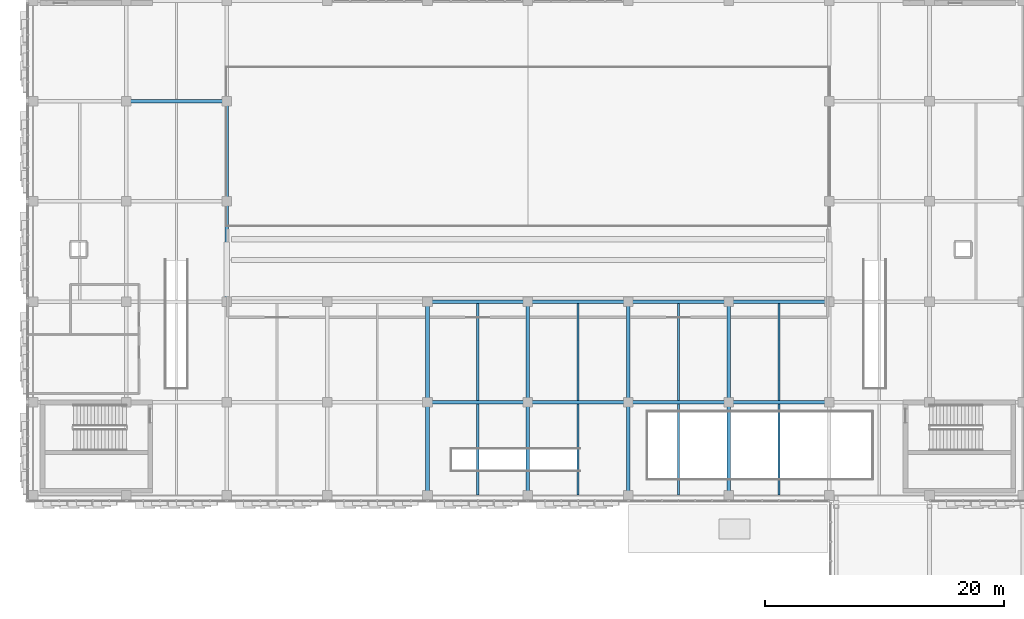
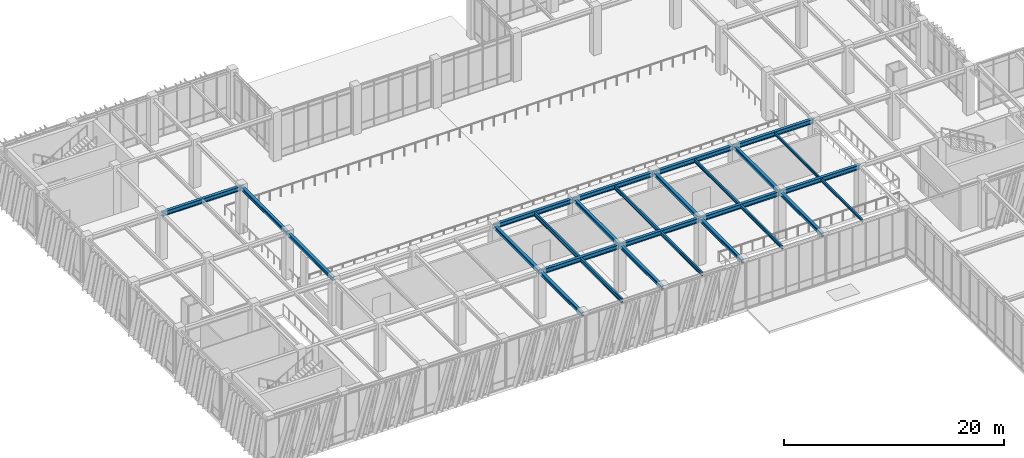
# One storey, part 43 of 139: 27 beams.
"""IFC4 building model written with IfcOpenShell, lengths in metres."""

from ifc_helpers import new_model, si_unit, direction, frame, origin, origin_2d, place, context, subcontext, project, spatial, i_section, extrude, material, material_profile, profile_set, type_object, element, save


model = new_model("IFC4")

# Units and contexts
model_context = context("Model", 3, precision=1e-05, world=origin(), true_north=direction((0.0, 1.0)))
body_context = subcontext(model_context, "Body", "Model", "MODEL_VIEW")
ifc_project = project(units=[si_unit("LENGTHUNIT", "METRE"), si_unit("AREAUNIT", "SQUARE_METRE"), si_unit("VOLUMEUNIT", "CUBIC_METRE"), si_unit("PLANEANGLEUNIT", "RADIAN"), si_unit("MASSUNIT", "GRAM", prefix="KILO")], contexts=[model_context])

# Site, building, storey
site_placement = place(None, origin())
site = spatial("IfcSite", under=ifc_project, at=site_placement, CompositionType="ELEMENT")
building_placement = place(site_placement, origin())
building = spatial("IfcBuilding", under=site, at=building_placement, Name="Zayran Congress Hotel", CompositionType="ELEMENT")
storey_placement = place(building_placement, frame((0.0, 0.0, 5.39990234375)))
storey = spatial("IfcBuildingStorey", under=building, at=storey_placement, Name="L01", CompositionType="ELEMENT", Elevation=5.39990234375)

# Beams
ifc_material = material(Name="Steel S355", Category="steel")
ifc_material_profile_1 = material_profile(ifc_material, i_section(OverallWidth=0.300048828125, OverallDepth=0.489990234375, WebThickness=0.011962890625, FlangeThickness=0.02294921875, at=origin_2d()), Name="HEA 500")
ifc_profile_set_1 = profile_set([ifc_material_profile_1], Name="Steel S355")
beam_type_1 = type_object("IfcBeamType", Name="TP-BM-05", PredefinedType="BEAM", material=ifc_profile_set_1)
beam_1_placement = place(storey_placement, frame((42.0, 76.0, 4.835205078125), z_axis=(1.0, 0.0, 0.0), x_axis=(0.0, 1.0, 0.0)))
element("IfcBeam", 1, at=beam_1_placement, inside=storey, type_object=beam_type_1, Name="BM-V1-L01-0527", PredefinedType="BEAM", context=body_context, shape_type="SweptSolid", body=[
    extrude(i_section(OverallWidth=0.300048828125, OverallDepth=0.489990234375, WebThickness=0.011962890625, FlangeThickness=0.02294921875, at=origin_2d()), origin(), (0.0, 0.0, 1.0), 8.39990234375),
])
beam_2_placement = place(storey_placement, frame((50.39990234375, 76.0, 4.835205078125), z_axis=(1.0, 0.0, 0.0), x_axis=(0.0, 1.0, 0.0)))
element("IfcBeam", 2, at=beam_2_placement, inside=storey, type_object=beam_type_1, Name="BM-V1-L01-0528", PredefinedType="BEAM", context=body_context, shape_type="SweptSolid", body=[
    extrude(i_section(OverallWidth=0.300048828125, OverallDepth=0.489990234375, WebThickness=0.011962890625, FlangeThickness=0.02294921875, at=origin_2d()), origin(), (0.0, 0.0, 1.0), 8.400146484375),
])
beam_3_placement = place(storey_placement, frame((58.800048828125, 76.0, 4.835205078125), z_axis=(1.0, 0.0, 0.0), x_axis=(0.0, 1.0, 0.0)))
element("IfcBeam", 3, at=beam_3_placement, inside=storey, type_object=beam_type_1, Name="BM-V1-L01-0529", PredefinedType="BEAM", context=body_context, shape_type="SweptSolid", body=[
    extrude(i_section(OverallWidth=0.300048828125, OverallDepth=0.489990234375, WebThickness=0.011962890625, FlangeThickness=0.02294921875, at=origin_2d()), origin(), (0.0, 0.0, 1.0), 8.39990234375),
])
beam_4_placement = place(storey_placement, frame((67.199951171875, 76.0, 4.835205078125), z_axis=(1.0, 0.0, 0.0), x_axis=(0.0, 1.0, 0.0)))
element("IfcBeam", 4, at=beam_4_placement, inside=storey, type_object=beam_type_1, Name="BM-V1-L01-0530", PredefinedType="BEAM", context=body_context, shape_type="SweptSolid", body=[
    extrude(i_section(OverallWidth=0.300048828125, OverallDepth=0.489990234375, WebThickness=0.011962890625, FlangeThickness=0.02294921875, at=origin_2d()), origin(), (0.0, 0.0, 1.0), 8.400146484375),
])
beam_5_placement = place(storey_placement, frame((42.0, 84.39990234375, 4.835205078125), z_axis=(1.0, 0.0, 0.0), x_axis=(0.0, 1.0, 0.0)))
element("IfcBeam", 5, at=beam_5_placement, inside=storey, type_object=beam_type_1, Name="BM-V1-L01-0537", PredefinedType="BEAM", context=body_context, shape_type="SweptSolid", body=[
    extrude(i_section(OverallWidth=0.300048828125, OverallDepth=0.489990234375, WebThickness=0.011962890625, FlangeThickness=0.02294921875, at=origin_2d()), origin(), (0.0, 0.0, 1.0), 8.39990234375),
])
beam_6_placement = place(storey_placement, frame((50.39990234375, 84.39990234375, 4.835205078125), z_axis=(1.0, 0.0, 0.0), x_axis=(0.0, 1.0, 0.0)))
element("IfcBeam", 6, at=beam_6_placement, inside=storey, type_object=beam_type_1, Name="BM-V1-L01-0538", PredefinedType="BEAM", context=body_context, shape_type="SweptSolid", body=[
    extrude(i_section(OverallWidth=0.300048828125, OverallDepth=0.489990234375, WebThickness=0.011962890625, FlangeThickness=0.02294921875, at=origin_2d()), origin(), (0.0, 0.0, 1.0), 8.400146484375),
])
beam_7_placement = place(storey_placement, frame((58.800048828125, 84.39990234375, 4.835205078125), z_axis=(1.0, 0.0, 0.0), x_axis=(0.0, 1.0, 0.0)))
element("IfcBeam", 7, at=beam_7_placement, inside=storey, type_object=beam_type_1, Name="BM-V1-L01-0539", PredefinedType="BEAM", context=body_context, shape_type="SweptSolid", body=[
    extrude(i_section(OverallWidth=0.300048828125, OverallDepth=0.489990234375, WebThickness=0.011962890625, FlangeThickness=0.02294921875, at=origin_2d()), origin(), (0.0, 0.0, 1.0), 8.39990234375),
])
beam_8_placement = place(storey_placement, frame((67.199951171875, 84.39990234375, 4.835205078125), z_axis=(1.0, 0.0, 0.0), x_axis=(0.0, 1.0, 0.0)))
element("IfcBeam", 8, at=beam_8_placement, inside=storey, type_object=beam_type_1, Name="BM-V1-L01-0540", PredefinedType="BEAM", context=body_context, shape_type="SweptSolid", body=[
    extrude(i_section(OverallWidth=0.300048828125, OverallDepth=0.489990234375, WebThickness=0.011962890625, FlangeThickness=0.02294921875, at=origin_2d()), origin(), (0.0, 0.0, 1.0), 8.400146484375),
])
beam_9_placement = place(storey_placement, frame((16.800048828125, 101.199951171875, 4.835205078125), z_axis=(1.0, 0.0, 0.0), x_axis=(0.0, 1.0, 0.0)))
element("IfcBeam", 9, at=beam_9_placement, inside=storey, type_object=beam_type_1, Name="BM-V1-L01-0548", PredefinedType="BEAM", context=body_context, shape_type="SweptSolid", body=[
    extrude(i_section(OverallWidth=0.300048828125, OverallDepth=0.489990234375, WebThickness=0.011962890625, FlangeThickness=0.02294921875, at=origin_2d()), origin(), (0.0, 0.0, 1.0), 8.39990234375),
])
ifc_material_profile_2 = material_profile(ifc_material, i_section(OverallWidth=0.300048828125, OverallDepth=0.389892578125, WebThickness=0.010986328125, FlangeThickness=0.01904296875, at=origin_2d()), Name="HEA 400")
ifc_profile_set_2 = profile_set([ifc_material_profile_2], Name="Steel S355")
beam_type_2 = type_object("IfcBeamType", Name="TP-BM-06", PredefinedType="BEAM", material=ifc_profile_set_2)
beam_10_placement = place(storey_placement, frame((25.199951171875, 84.39990234375, 4.885009765625), z_axis=(0.0, 1.0, 0.0), x_axis=(-1.0, 0.0, 0.0)))
element("IfcBeam", 10, at=beam_10_placement, inside=storey, type_object=beam_type_2, Name="BM-V1-L01-0583", PredefinedType="BEAM", context=body_context, shape_type="SweptSolid", body=[
    extrude(i_section(OverallWidth=0.300048828125, OverallDepth=0.389892578125, WebThickness=0.010986328125, FlangeThickness=0.01904296875, at=origin_2d()), origin(), (0.0, 0.0, 1.0), 8.400146484375),
])
beam_11_placement = place(storey_placement, frame((25.199951171875, 92.800048828125, 4.885009765625), z_axis=(0.0, 1.0, 0.0), x_axis=(-1.0, 0.0, 0.0)))
element("IfcBeam", 11, at=beam_11_placement, inside=storey, type_object=beam_type_2, Name="BM-V1-L01-0584", PredefinedType="BEAM", context=body_context, shape_type="SweptSolid", body=[
    extrude(i_section(OverallWidth=0.300048828125, OverallDepth=0.389892578125, WebThickness=0.010986328125, FlangeThickness=0.01904296875, at=origin_2d()), origin(), (0.0, 0.0, 1.0), 8.39990234375),
])
beam_12_placement = place(storey_placement, frame((42.0, 68.199951171875, 4.885009765625), z_axis=(0.0, 1.0, 0.0), x_axis=(-1.0, 0.0, 0.0)))
element("IfcBeam", 12, at=beam_12_placement, inside=storey, type_object=beam_type_2, Name="BM-V1-L01-0590", PredefinedType="BEAM", context=body_context, shape_type="SweptSolid", body=[
    extrude(i_section(OverallWidth=0.300048828125, OverallDepth=0.389892578125, WebThickness=0.010986328125, FlangeThickness=0.01904296875, at=origin_2d()), origin(), (0.0, 0.0, 1.0), 7.800048828125),
])
beam_13_placement = place(storey_placement, frame((42.0, 76.0, 4.885009765625), z_axis=(0.0, 1.0, 0.0), x_axis=(-1.0, 0.0, 0.0)))
element("IfcBeam", 13, at=beam_13_placement, inside=storey, type_object=beam_type_2, Name="BM-V1-L01-0591", PredefinedType="BEAM", context=body_context, shape_type="SweptSolid", body=[
    extrude(i_section(OverallWidth=0.300048828125, OverallDepth=0.389892578125, WebThickness=0.010986328125, FlangeThickness=0.01904296875, at=origin_2d()), origin(), (0.0, 0.0, 1.0), 8.39990234375),
])
beam_14_placement = place(storey_placement, frame((50.39990234375, 68.199951171875, 4.885009765625), z_axis=(0.0, 1.0, 0.0), x_axis=(-1.0, 0.0, 0.0)))
element("IfcBeam", 14, at=beam_14_placement, inside=storey, type_object=beam_type_2, Name="BM-V1-L01-0593", PredefinedType="BEAM", context=body_context, shape_type="SweptSolid", body=[
    extrude(i_section(OverallWidth=0.300048828125, OverallDepth=0.389892578125, WebThickness=0.010986328125, FlangeThickness=0.01904296875, at=origin_2d()), origin(), (0.0, 0.0, 1.0), 7.800048828125),
])
beam_15_placement = place(storey_placement, frame((50.39990234375, 76.0, 4.885009765625), z_axis=(0.0, 1.0, 0.0), x_axis=(-1.0, 0.0, 0.0)))
element("IfcBeam", 15, at=beam_15_placement, inside=storey, type_object=beam_type_2, Name="BM-V1-L01-0594", PredefinedType="BEAM", context=body_context, shape_type="SweptSolid", body=[
    extrude(i_section(OverallWidth=0.300048828125, OverallDepth=0.389892578125, WebThickness=0.010986328125, FlangeThickness=0.01904296875, at=origin_2d()), origin(), (0.0, 0.0, 1.0), 8.39990234375),
])
beam_16_placement = place(storey_placement, frame((58.800048828125, 68.199951171875, 4.885009765625), z_axis=(0.0, 1.0, 0.0), x_axis=(-1.0, 0.0, 0.0)))
element("IfcBeam", 16, at=beam_16_placement, inside=storey, type_object=beam_type_2, Name="BM-V1-L01-0596", PredefinedType="BEAM", context=body_context, shape_type="SweptSolid", body=[
    extrude(i_section(OverallWidth=0.300048828125, OverallDepth=0.389892578125, WebThickness=0.010986328125, FlangeThickness=0.01904296875, at=origin_2d()), origin(), (0.0, 0.0, 1.0), 7.800048828125),
])
beam_17_placement = place(storey_placement, frame((58.800048828125, 76.0, 4.885009765625), z_axis=(0.0, 1.0, 0.0), x_axis=(-1.0, 0.0, 0.0)))
element("IfcBeam", 17, at=beam_17_placement, inside=storey, type_object=beam_type_2, Name="BM-V1-L01-0597", PredefinedType="BEAM", context=body_context, shape_type="SweptSolid", body=[
    extrude(i_section(OverallWidth=0.300048828125, OverallDepth=0.389892578125, WebThickness=0.010986328125, FlangeThickness=0.01904296875, at=origin_2d()), origin(), (0.0, 0.0, 1.0), 8.39990234375),
])
beam_18_placement = place(storey_placement, frame((67.199951171875, 68.199951171875, 4.885009765625), z_axis=(0.0, 1.0, 0.0), x_axis=(-1.0, 0.0, 0.0)))
element("IfcBeam", 18, at=beam_18_placement, inside=storey, type_object=beam_type_2, Name="BM-V1-L01-0599", PredefinedType="BEAM", context=body_context, shape_type="SweptSolid", body=[
    extrude(i_section(OverallWidth=0.300048828125, OverallDepth=0.389892578125, WebThickness=0.010986328125, FlangeThickness=0.01904296875, at=origin_2d()), origin(), (0.0, 0.0, 1.0), 7.800048828125),
])
beam_19_placement = place(storey_placement, frame((67.199951171875, 76.0, 4.885009765625), z_axis=(0.0, 1.0, 0.0), x_axis=(-1.0, 0.0, 0.0)))
element("IfcBeam", 19, at=beam_19_placement, inside=storey, type_object=beam_type_2, Name="BM-V1-L01-0600", PredefinedType="BEAM", context=body_context, shape_type="SweptSolid", body=[
    extrude(i_section(OverallWidth=0.300048828125, OverallDepth=0.389892578125, WebThickness=0.010986328125, FlangeThickness=0.01904296875, at=origin_2d()), origin(), (0.0, 0.0, 1.0), 8.39990234375),
])
ifc_material_profile_3 = material_profile(ifc_material, i_section(OverallWidth=0.18994140625, OverallDepth=0.449951171875, WebThickness=0.009521484375, FlangeThickness=0.0146484375, at=origin_2d()), Name="IPE 450")
ifc_profile_set_3 = profile_set([ifc_material_profile_3], Name="Steel S355")
beam_type_3 = type_object("IfcBeamType", Name="TP-JS-02", PredefinedType="JOIST", material=ifc_profile_set_3)
beam_20_placement = place(storey_placement, frame((46.199951171875, 68.260009765625, 4.85498046875), z_axis=(0.0, 1.0, 0.0), x_axis=(-1.0, 0.0, 0.0)))
element("IfcBeam", 20, at=beam_20_placement, inside=storey, type_object=beam_type_3, Name="JST-V1-L01-0632", PredefinedType="JOIST", context=body_context, shape_type="SweptSolid", body=[
    extrude(i_section(OverallWidth=0.18994140625, OverallDepth=0.449951171875, WebThickness=0.009521484375, FlangeThickness=0.0146484375, at=origin_2d()), origin(), (0.0, 0.0, 1.0), 7.590087890625),
])
beam_21_placement = place(storey_placement, frame((46.199951171875, 76.14990234375, 4.85498046875), z_axis=(0.0, 1.0, 0.0), x_axis=(-1.0, 0.0, 0.0)))
element("IfcBeam", 21, at=beam_21_placement, inside=storey, type_object=beam_type_3, Name="JST-V1-L01-0633", PredefinedType="JOIST", context=body_context, shape_type="SweptSolid", body=[
    extrude(i_section(OverallWidth=0.18994140625, OverallDepth=0.449951171875, WebThickness=0.009521484375, FlangeThickness=0.0146484375, at=origin_2d()), origin(), (0.0, 0.0, 1.0), 8.10009765625),
])
ifc_material_profile_4 = material_profile(ifc_material, i_section(OverallWidth=0.179931640625, OverallDepth=0.39990234375, WebThickness=0.008544921875, FlangeThickness=0.013427734375, at=origin_2d()), Name="IPE 400")
ifc_profile_set_4 = profile_set([ifc_material_profile_4], Name="Steel S355")
beam_type_4 = type_object("IfcBeamType", Name="TP-JS-03", PredefinedType="JOIST", material=ifc_profile_set_4)
beam_22_placement = place(storey_placement, frame((54.60009765625, 68.260009765625, 4.880126953125), z_axis=(0.0, 1.0, 0.0), x_axis=(-1.0, 0.0, 0.0)))
element("IfcBeam", 22, at=beam_22_placement, inside=storey, type_object=beam_type_4, Name="JST-V1-L01-0635", PredefinedType="JOIST", context=body_context, shape_type="SweptSolid", body=[
    extrude(i_section(OverallWidth=0.179931640625, OverallDepth=0.39990234375, WebThickness=0.008544921875, FlangeThickness=0.013427734375, at=origin_2d()), origin(), (0.0, 0.0, 1.0), 7.590087890625),
])
beam_23_placement = place(storey_placement, frame((54.60009765625, 76.14990234375, 4.880126953125), z_axis=(0.0, 1.0, 0.0), x_axis=(-1.0, 0.0, 0.0)))
element("IfcBeam", 23, at=beam_23_placement, inside=storey, type_object=beam_type_4, Name="JST-V1-L01-0636", PredefinedType="JOIST", context=body_context, shape_type="SweptSolid", body=[
    extrude(i_section(OverallWidth=0.179931640625, OverallDepth=0.39990234375, WebThickness=0.008544921875, FlangeThickness=0.013427734375, at=origin_2d()), origin(), (0.0, 0.0, 1.0), 8.10009765625),
])
ifc_material_profile_5 = material_profile(ifc_material, i_section(OverallWidth=0.169921875, OverallDepth=0.360107421875, WebThickness=0.008056640625, FlangeThickness=0.0126953125, at=origin_2d()), Name="IPE 360")
ifc_profile_set_5 = profile_set([ifc_material_profile_5], Name="Steel S355")
beam_type_5 = type_object("IfcBeamType", Name="TP-JS-04", PredefinedType="JOIST", material=ifc_profile_set_5)
beam_24_placement = place(storey_placement, frame((63.0, 68.260009765625, 4.900146484375), z_axis=(0.0, 1.0, 0.0), x_axis=(-1.0, 0.0, 0.0)))
element("IfcBeam", 24, at=beam_24_placement, inside=storey, type_object=beam_type_5, Name="JST-V1-L01-0638", PredefinedType="JOIST", context=body_context, shape_type="SweptSolid", body=[
    extrude(i_section(OverallWidth=0.169921875, OverallDepth=0.360107421875, WebThickness=0.008056640625, FlangeThickness=0.0126953125, at=origin_2d()), origin(), (0.0, 0.0, 1.0), 7.590087890625),
])
beam_25_placement = place(storey_placement, frame((63.0, 76.14990234375, 4.900146484375), z_axis=(0.0, 1.0, 0.0), x_axis=(-1.0, 0.0, 0.0)))
element("IfcBeam", 25, at=beam_25_placement, inside=storey, type_object=beam_type_5, Name="JST-V1-L01-0639", PredefinedType="JOIST", context=body_context, shape_type="SweptSolid", body=[
    extrude(i_section(OverallWidth=0.169921875, OverallDepth=0.360107421875, WebThickness=0.008056640625, FlangeThickness=0.0126953125, at=origin_2d()), origin(), (0.0, 0.0, 1.0), 8.10009765625),
])
ifc_material_profile_6 = material_profile(ifc_material, i_section(OverallWidth=0.14990234375, OverallDepth=0.300048828125, WebThickness=0.007080078125, FlangeThickness=0.0107421875, at=origin_2d()), Name="IPE 300")
ifc_profile_set_6 = profile_set([ifc_material_profile_6], Name="Steel S355")
beam_type_6 = type_object("IfcBeamType", Name="TP-JS-05", PredefinedType="JOIST", material=ifc_profile_set_6)
beam_26_placement = place(storey_placement, frame((71.39990234375, 68.260009765625, 4.93017578125), z_axis=(0.0, 1.0, 0.0), x_axis=(-1.0, 0.0, 0.0)))
element("IfcBeam", 26, at=beam_26_placement, inside=storey, type_object=beam_type_6, Name="JST-V1-L01-0641", PredefinedType="JOIST", context=body_context, shape_type="SweptSolid", body=[
    extrude(i_section(OverallWidth=0.14990234375, OverallDepth=0.300048828125, WebThickness=0.007080078125, FlangeThickness=0.0107421875, at=origin_2d()), origin(), (0.0, 0.0, 1.0), 7.590087890625),
])
beam_27_placement = place(storey_placement, frame((71.39990234375, 76.14990234375, 4.93017578125), z_axis=(0.0, 1.0, 0.0), x_axis=(-1.0, 0.0, 0.0)))
element("IfcBeam", 27, at=beam_27_placement, inside=storey, type_object=beam_type_6, Name="JST-V1-L01-0642", PredefinedType="JOIST", context=body_context, shape_type="SweptSolid", body=[
    extrude(i_section(OverallWidth=0.14990234375, OverallDepth=0.300048828125, WebThickness=0.007080078125, FlangeThickness=0.0107421875, at=origin_2d()), origin(), (0.0, 0.0, 1.0), 8.10009765625),
])

save(model, "model.ifc")
